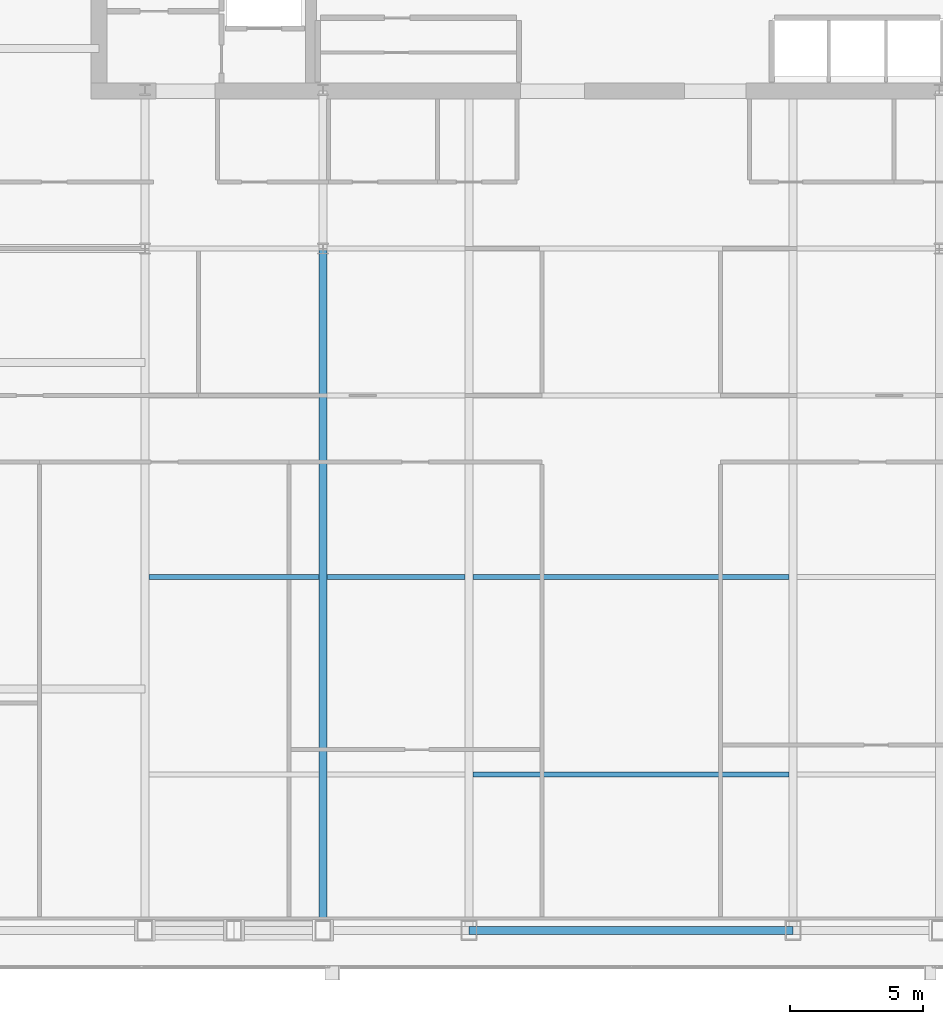
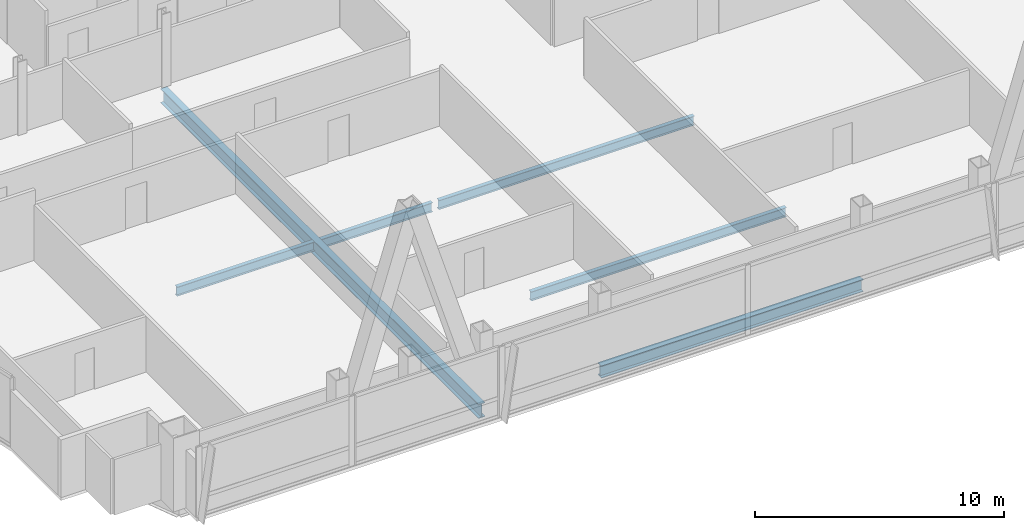
# One storey, part 9 of 33: 6 beams.
"""IFC4 building model written with IfcOpenShell, lengths in metres."""

import ifcopenshell
import ifcopenshell.guid

model = None  # the IFC model being written
_history = None  # IfcOwnerHistory: only IFC2X3 demands one
_inside = {}  # id of a spatial element -> (the spatial element, [elements in it])
_under = {}  # id of a project, library or spatial element -> (it, [spatial elements below it])
_declared = {}  # id of a project -> (the project, [libraries it declares])
_typed = {}  # id of a type object -> (the type object, [elements of that type])
_made_of = {}  # id of a material, layer set ... -> (it, [elements and type objects made of it])


def new_model(schema):
    """Start an empty IFC model of exactly this schema.

    Asked for "IFC4X3", IfcOpenShell would pick the latest addendum, in which some entities
    have other attributes; the version numbers below select the first issue.
    IFC2X3 requires an IfcOwnerHistory on every rooted entity: one is made here for all.
    """
    global model, _history
    if schema == "IFC4X3":
        model = ifcopenshell.file(schema_version=(4, 3, 0, 0))
    else:
        model = ifcopenshell.file(schema=schema)
    _inside.clear()
    _under.clear()
    _declared.clear()
    _typed.clear()
    _made_of.clear()
    _history = None
    if model.schema == "IFC2X3":
        org = make("IfcOrganization", Name="unknown")
        user = make(
            "IfcPersonAndOrganization",
            ThePerson=make("IfcPerson", FamilyName="unknown"),
            TheOrganization=org,
        )
        app = make(
            "IfcApplication",
            ApplicationDeveloper=org,
            Version="unknown",
            ApplicationFullName="unknown",
            ApplicationIdentifier="unknown",
        )
        _history = make(
            "IfcOwnerHistory",
            OwningUser=user,
            OwningApplication=app,
            ChangeAction="ADDED",
            CreationDate=0,
        )
    return model


def make(cls, **values):
    """One entity of the class cls with the attributes given. An attribute that is None is left unset."""
    return model.create_entity(
        cls, **{name: value for name, value in values.items() if value is not None}
    )


def rooted(cls, **values):
    """An entity with a GlobalId (a new one), such as an element, a storey or a relation."""
    return make(cls, GlobalId=ifcopenshell.guid.new(), OwnerHistory=_history, **values)


def si_unit(unit_type, name, prefix=None):
    """IfcSIUnit, for example si_unit("LENGTHUNIT", "METRE", prefix="MILLI")."""
    return make("IfcSIUnit", UnitType=unit_type, Prefix=prefix, Name=name)


def assignment(units):
    """IfcUnitAssignment: the units of a project."""
    return None if units is None else make("IfcUnitAssignment", Units=units)


def point(xyz):
    """IfcCartesianPoint."""
    return None if xyz is None else make("IfcCartesianPoint", Coordinates=xyz)


def direction(xyz):
    """IfcDirection."""
    return None if xyz is None else make("IfcDirection", DirectionRatios=xyz)


def frame(location, z_axis=None, x_axis=None):
    """IfcAxis2Placement3D, a coordinate frame: its origin and axes. An axis left out is left unset."""
    return make(
        "IfcAxis2Placement3D",
        Location=point(location),
        Axis=direction(z_axis),
        RefDirection=direction(x_axis),
    )


def frame_2d(location, x_axis=None):
    """IfcAxis2Placement2D, a coordinate frame in the plane: its origin and x axis."""
    return make(
        "IfcAxis2Placement2D", Location=point(location), RefDirection=direction(x_axis)
    )


def origin():
    """The frame at (0, 0, 0) with its axes left unset."""
    return frame((0.0, 0.0, 0.0))


def origin_2d():
    """The frame at (0, 0) in the plane with its x axis left unset."""
    return frame_2d((0.0, 0.0))


def place(relative_to, where):
    """IfcLocalPlacement: puts the frame where relative to a parent placement (None: the world)."""
    return make(
        "IfcLocalPlacement", PlacementRelTo=relative_to, RelativePlacement=where
    )


def context(
    kind, dimensions, precision=None, world=None, true_north=None, identifier=None
):
    """IfcGeometricRepresentationContext, for example the 3D "Model" context."""
    return make(
        "IfcGeometricRepresentationContext",
        ContextIdentifier=identifier,
        ContextType=kind,
        CoordinateSpaceDimension=dimensions,
        Precision=precision,
        WorldCoordinateSystem=world,
        TrueNorth=true_north,
    )


def subcontext(parent, identifier, kind, view, scale=None):
    """IfcGeometricRepresentationSubContext, for example "Body" below "Model"."""
    return make(
        "IfcGeometricRepresentationSubContext",
        ContextIdentifier=identifier,
        ContextType=kind,
        ParentContext=parent,
        TargetScale=scale,
        TargetView=view,
    )


def project(units=None, contexts=None):
    """IfcProject with its units and contexts."""
    return rooted(
        "IfcProject",
        Name="project",
        RepresentationContexts=contexts,
        UnitsInContext=assignment(units),
    )


def spatial(cls, under=None, at=None, **own):
    """A site, building, storey or space (cls), placed at a placement, below another one or the project."""
    s = rooted(cls, ObjectPlacement=at, **own)
    if under is not None:
        _under.setdefault(under.id(), (under, []))[1].append(s)
    return s


def profile(cls, at=None, kind="AREA", **sizes):
    """A parametric profile (cls). Its sizes go by their IFC names, for example OverallWidth=200.0."""
    return make(cls, ProfileType=kind, Position=at, **sizes)


def i_section(**sizes):
    """IfcIShapeProfileDef."""
    return profile("IfcIShapeProfileDef", **sizes)


def extrude(swept, where, along, depth):
    """IfcExtrudedAreaSolid: the profile swept, set in the frame where, extruded along a direction by depth."""
    return make(
        "IfcExtrudedAreaSolid",
        SweptArea=swept,
        Position=where,
        ExtrudedDirection=direction(along),
        Depth=depth,
    )


def shape(context_of_items, identifier, shape_type, items):
    """IfcShapeRepresentation: the items that make up one representation, for example the "Body"."""
    return make(
        "IfcShapeRepresentation",
        ContextOfItems=context_of_items,
        RepresentationIdentifier=identifier,
        RepresentationType=shape_type,
        Items=items,
    )


def material(Name=None, Category=None):
    """IfcMaterial."""
    return make("IfcMaterial", Name=Name, Category=Category)


def material_profile(
    of_material, cross_section, Name=None, Category=None, Priority=None
):
    """IfcMaterialProfile: a cross section and its material."""
    return make(
        "IfcMaterialProfile",
        Name=Name,
        Material=of_material,
        Profile=cross_section,
        Priority=Priority,
        Category=Category,
    )


def profile_set(profiles, Name=None, composite=None):
    """IfcMaterialProfileSet."""
    return make(
        "IfcMaterialProfileSet",
        Name=Name,
        MaterialProfiles=profiles,
        CompositeProfile=composite,
    )


def made_of(thing, what):
    """Note that an element or type object is made of a material, layer set ...; save() writes the relation."""
    if what is not None:
        _made_of.setdefault(what.id(), (what, []))[1].append(thing)
    return thing


def type_object(cls, material=None, **own):
    """A type object (cls), such as IfcWallType, which elements share."""
    return made_of(rooted(cls, **own), material)


def element(
    cls,
    number,
    at=None,
    inside=None,
    cuts=None,
    type_object=None,
    material=None,
    context=None,
    identifier="Body",
    shape_type=None,
    held_by="IfcProductDefinitionShape",
    body=None,
    shapes=None,
    **own,
):
    """One element of the class cls, such as IfcWall. Its Tag is "e" and its number.

    at: its placement. inside: the storey or other place that contains it. cuts: it is an
    opening in that element (IfcRelVoidsElement). A single representation is given by context,
    identifier, shape_type and body (its items); several are given by shapes. held_by: the class
    of the entity that holds the representations. save() writes the other relations.
    """
    e = rooted(cls, Tag="e%d" % number, ObjectPlacement=at, **own)
    if body is not None:
        shapes = [shape(context, identifier, shape_type, body)]
    if shapes is not None:
        e.Representation = make(held_by, Representations=shapes)
    if inside is not None:
        _inside.setdefault(inside.id(), (inside, []))[1].append(e)
    if cuts is not None:
        rooted(
            "IfcRelVoidsElement", RelatingBuildingElement=cuts, RelatedOpeningElement=e
        )
    if type_object is not None:
        _typed.setdefault(type_object.id(), (type_object, []))[1].append(e)
    return made_of(e, material)


def aggregate(whole, parts):
    """IfcRelAggregates: a whole, such as a stair, and the parts it consists of."""
    return rooted("IfcRelAggregates", RelatingObject=whole, RelatedObjects=parts)


def save(model, path):
    """Write the relations noted so far, then the file.

    IfcRelAggregates (storeys below a building ...), IfcRelContainedInSpatialStructure (elements
    in a storey), IfcRelDefinesByType, IfcRelAssociatesMaterial and IfcRelDeclares: one each for
    every whole, place, type object, material and project.
    """
    for whole, parts in _under.values():
        aggregate(whole, parts)
    for where, things in _inside.values():
        rooted(
            "IfcRelContainedInSpatialStructure",
            RelatedElements=things,
            RelatingStructure=where,
        )
    for kind, things in _typed.values():
        rooted("IfcRelDefinesByType", RelatedObjects=things, RelatingType=kind)
    for what, things in _made_of.values():
        rooted("IfcRelAssociatesMaterial", RelatedObjects=things, RelatingMaterial=what)
    for by, libraries in _declared.values():
        rooted("IfcRelDeclares", RelatingContext=by, RelatedDefinitions=libraries)
    model.write(path)


model = new_model("IFC4")

# Units and contexts
model_context = context("Model", 3, precision=1e-05, world=origin(), true_north=direction((0.0, 1.0)))
body_context = subcontext(model_context, "Body", "Model", "MODEL_VIEW")
ifc_project = project(units=[si_unit("LENGTHUNIT", "METRE"), si_unit("AREAUNIT", "SQUARE_METRE"), si_unit("VOLUMEUNIT", "CUBIC_METRE"), si_unit("PLANEANGLEUNIT", "RADIAN"), si_unit("MASSUNIT", "GRAM", prefix="KILO")], contexts=[model_context])

# Site, building, storey
site_placement = place(None, origin())
site = spatial("IfcSite", under=ifc_project, at=site_placement, CompositionType="ELEMENT")
building_placement = place(site_placement, origin())
building = spatial("IfcBuilding", under=site, at=building_placement, Name="Khoronbel Lancet Exchange", CompositionType="ELEMENT")
storey_placement = place(building_placement, frame((0.0, 0.0, 210.199951171875)))
storey = spatial("IfcBuildingStorey", under=building, at=storey_placement, Name="L53", CompositionType="ELEMENT", Elevation=210.199951171875)

# Beams
ifc_material = material(Name="Steel S355", Category="steel")
ifc_material_profile_1 = material_profile(ifc_material, i_section(OverallWidth=0.300048828125, OverallDepth=0.699951171875, WebThickness=0.01708984375, FlangeThickness=0.031982421875, at=origin_2d()), Name="HEB 700")
ifc_profile_set_1 = profile_set([ifc_material_profile_1], Name="Steel S355")
beam_type_1 = type_object("IfcBeamType", Name="BM-BG3", PredefinedType="BEAM", material=ifc_profile_set_1)
beam_1_placement = place(storey_placement, frame((24.89990234375, 10.14990234375, -0.510009765625), z_axis=(0.0, 1.0, 0.0), x_axis=(-1.0, 0.0, 0.0)))
element("IfcBeam", 1, at=beam_1_placement, inside=storey, type_object=beam_type_1, Name="Level L53 south primary girder GS2", PredefinedType="BEAM", context=body_context, shape_type="SweptSolid", body=[
    extrude(i_section(OverallWidth=0.300048828125, OverallDepth=0.699951171875, WebThickness=0.01708984375, FlangeThickness=0.031982421875, at=origin_2d()), origin(), (0.0, 0.0, 1.0), 25.550048828125),
])
ifc_material_profile_2 = material_profile(ifc_material, i_section(OverallWidth=0.18994140625, OverallDepth=0.449951171875, WebThickness=0.009521484375, FlangeThickness=0.0146484375, at=origin_2d()), Name="IPE 450")
ifc_profile_set_2 = profile_set([ifc_material_profile_2], Name="Steel S355")
beam_type_2 = type_object("IfcBeamType", Name="BM-BJ4", PredefinedType="JOIST", material=ifc_profile_set_2)
beam_2_placement = place(storey_placement, frame((30.52490234375, 16.0, -0.385009765625), z_axis=(1.0, 0.0, 0.0), x_axis=(0.0, 1.0, 0.0)))
element("IfcBeam", 2, at=beam_2_placement, inside=storey, type_object=beam_type_2, Name="Level L53 secondary composite joist J03", PredefinedType="JOIST", context=body_context, shape_type="SweptSolid", body=[
    extrude(i_section(OverallWidth=0.18994140625, OverallDepth=0.449951171875, WebThickness=0.009521484375, FlangeThickness=0.0146484375, at=origin_2d()), origin(), (0.0, 0.0, 1.0), 11.85009765625),
])
beam_3_placement = place(storey_placement, frame((18.375, 23.39990234375, -0.385009765625), z_axis=(1.0, 0.0, 0.0), x_axis=(0.0, 1.0, 0.0)))
element("IfcBeam", 3, at=beam_3_placement, inside=storey, type_object=beam_type_2, Name="Level L53 secondary composite joist J06", PredefinedType="JOIST", context=body_context, shape_type="SweptSolid", body=[
    extrude(i_section(OverallWidth=0.18994140625, OverallDepth=0.449951171875, WebThickness=0.009521484375, FlangeThickness=0.0146484375, at=origin_2d()), origin(), (0.0, 0.0, 1.0), 6.375),
])
beam_4_placement = place(storey_placement, frame((25.050048828125, 23.39990234375, -0.385009765625), z_axis=(1.0, 0.0, 0.0), x_axis=(0.0, 1.0, 0.0)))
element("IfcBeam", 4, at=beam_4_placement, inside=storey, type_object=beam_type_2, Name="Level L53 secondary composite joist J07", PredefinedType="JOIST", context=body_context, shape_type="SweptSolid", body=[
    extrude(i_section(OverallWidth=0.18994140625, OverallDepth=0.449951171875, WebThickness=0.009521484375, FlangeThickness=0.0146484375, at=origin_2d()), origin(), (0.0, 0.0, 1.0), 5.175048828125),
])
beam_5_placement = place(storey_placement, frame((30.52490234375, 23.39990234375, -0.385009765625), z_axis=(1.0, 0.0, 0.0), x_axis=(0.0, 1.0, 0.0)))
element("IfcBeam", 5, at=beam_5_placement, inside=storey, type_object=beam_type_2, Name="Level L53 secondary composite joist J08", PredefinedType="JOIST", context=body_context, shape_type="SweptSolid", body=[
    extrude(i_section(OverallWidth=0.18994140625, OverallDepth=0.449951171875, WebThickness=0.009521484375, FlangeThickness=0.0146484375, at=origin_2d()), origin(), (0.0, 0.0, 1.0), 11.85009765625),
])
ifc_material_profile_3 = material_profile(ifc_material, i_section(OverallWidth=0.300048828125, OverallDepth=0.60009765625, WebThickness=0.015380859375, FlangeThickness=0.030029296875, at=origin_2d()), Name="HEB 600")
ifc_profile_set_3 = profile_set([ifc_material_profile_3], Name="Steel S355")
beam_type_3 = type_object("IfcBeamType", Name="BM-BSP2", PredefinedType="SPANDREL", material=ifc_profile_set_3)
beam_6_placement = place(storey_placement, frame((30.375, 10.14990234375, -0.4599609375), z_axis=(1.0, 0.0, 0.0), x_axis=(0.0, 1.0, 0.0)))
element("IfcBeam", 6, at=beam_6_placement, inside=storey, type_object=beam_type_3, Name="Level L53 perimeter spandrel beam SP05", PredefinedType="SPANDREL", context=body_context, shape_type="SweptSolid", body=[
    extrude(i_section(OverallWidth=0.300048828125, OverallDepth=0.60009765625, WebThickness=0.015380859375, FlangeThickness=0.030029296875, at=origin_2d()), origin(), (0.0, 0.0, 1.0), 12.14990234375),
])

save(model, "model.ifc")
